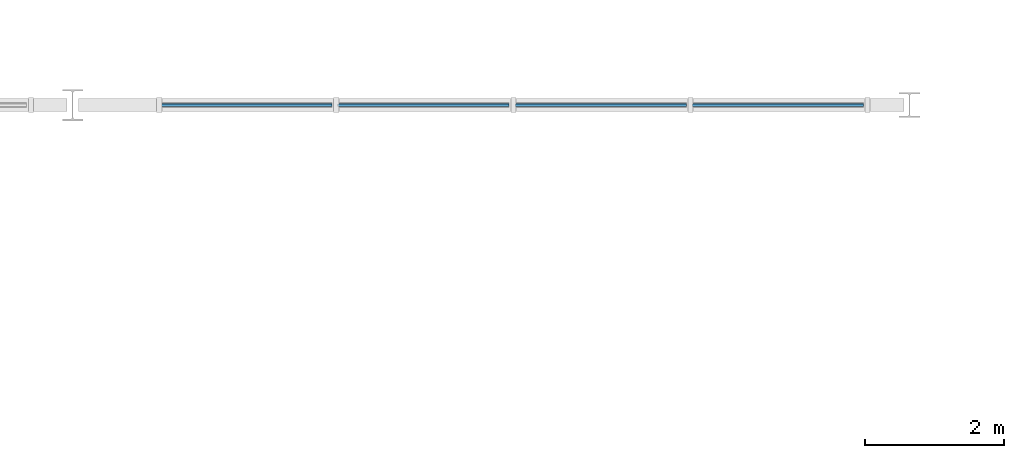
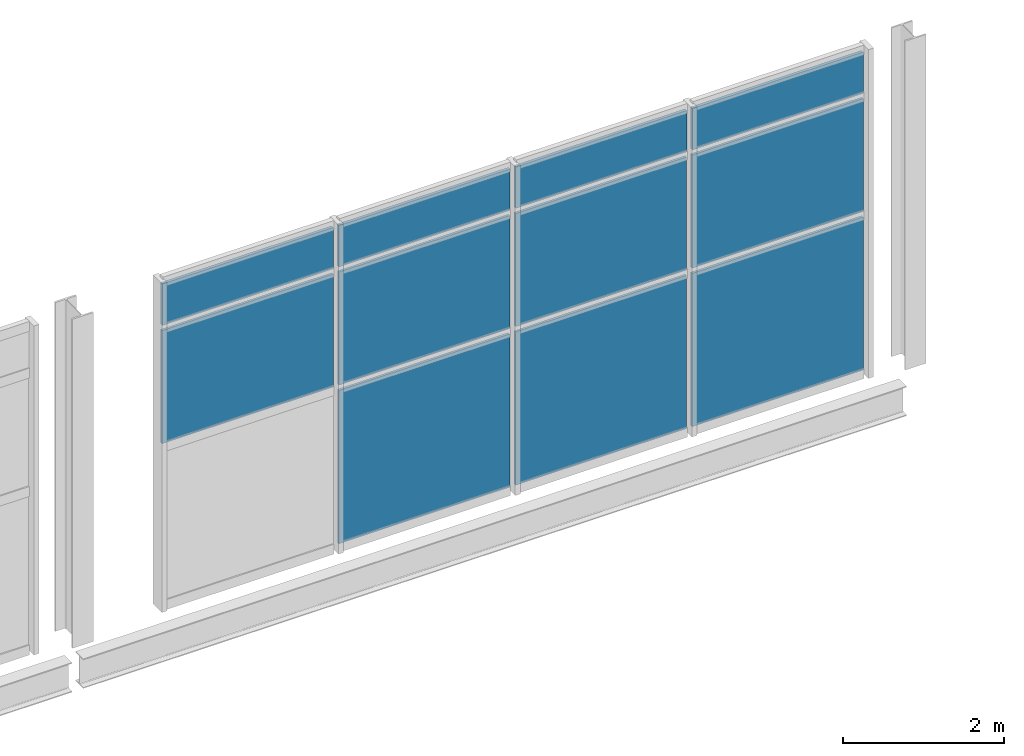
# One storey, part 63 of 89: 11 plates, 1 element without a shape of its own.
"""IFC4 building model written with IfcOpenShell, lengths in metres."""

from ifc_helpers import new_model, si_unit, direction, frame, origin, origin_2d, place, context, subcontext, project, spatial, rectangle, extrude, material, layer, layer_set, type_object, element, aggregate, save


model = new_model("IFC4")

# Units and contexts
model_context = context("Model", 3, precision=1e-05, world=origin(), true_north=direction((0.0, 1.0)))
body_context = subcontext(model_context, "Body", "Model", "MODEL_VIEW")
ifc_project = project(units=[si_unit("LENGTHUNIT", "METRE"), si_unit("AREAUNIT", "SQUARE_METRE"), si_unit("VOLUMEUNIT", "CUBIC_METRE"), si_unit("PLANEANGLEUNIT", "RADIAN"), si_unit("MASSUNIT", "GRAM", prefix="KILO"), si_unit("THERMODYNAMICTEMPERATUREUNIT", "KELVIN"), si_unit("POWERUNIT", "WATT")], contexts=[model_context])

# Site, building, storey
site_placement = place(None, origin())
site = spatial("IfcSite", under=ifc_project, at=site_placement, CompositionType="ELEMENT")
building_placement = place(site_placement, origin())
building = spatial("IfcBuilding", under=site, at=building_placement, Name="Solmara Park Aquatics Centre", CompositionType="ELEMENT")
storey_placement = place(building_placement, frame((0.0, 0.0, 5.39990234375)))
storey = spatial("IfcBuildingStorey", under=building, at=storey_placement, Name="L01", CompositionType="ELEMENT", Elevation=5.39990234375)

# Curtain wall, plates
ifc_material_1 = material(Name="Anodised Aluminium Curtain Wall Framing", Category="aluminium")
curtain_wall_type = type_object("IfcCurtainWallType", Name="ARC-CW-SYS03", PredefinedType="USERDEFINED", material=ifc_material_1)
curtain_wall_placement = place(storey_placement, origin())
curtain_wall = element("IfcCurtainWall", 1, at=curtain_wall_placement, inside=storey, type_object=curtain_wall_type, Name="Curtain Wall CW-123", ObjectType="CURTAIN WALL", PredefinedType="USERDEFINED")
ifc_material_2 = material(Name="Double Low-E Solar-Control Glazing", Category="glass")
ifc_layer_1 = layer(ifc_material_2, 0.035888671875, Name="Double Low-E Solar-Control Glazing")
ifc_layer_set_1 = layer_set([ifc_layer_1], Name="Double Low-E Solar-Control Glazing")
plate_type_1 = type_object("IfcPlateType", Name="ARC-CWP-GLZ36-2460x1720", PredefinedType="CURTAIN_PANEL", material=ifc_layer_set_1)
plate_1_placement = place(storey_placement, frame((146.489990234375, 136.0, 2.490234375), z_axis=(0.0, 0.0, 1.0), x_axis=(1.0, 0.0, 0.0)))
plate_1 = element("IfcPlate", 2, at=plate_1_placement, type_object=plate_type_1, Name="CW-123 panel 2", PredefinedType="CURTAIN_PANEL", context=body_context, shape_type="SweptSolid", body=[
    extrude(rectangle(XDim=2.4599609375, YDim=0.035888671875, at=origin_2d()), origin(), (0.0, 0.0, 1.0), 1.719970703125),
])
plate_2_placement = place(storey_placement, frame((149.030029296875, 136.0, 2.490234375), z_axis=(0.0, 0.0, 1.0), x_axis=(1.0, 0.0, 0.0)))
plate_2 = element("IfcPlate", 3, at=plate_2_placement, type_object=plate_type_1, Name="CW-123 panel 5", PredefinedType="CURTAIN_PANEL", context=body_context, shape_type="SweptSolid", body=[
    extrude(rectangle(XDim=2.4599609375, YDim=0.035888671875, at=origin_2d()), origin(), (0.0, 0.0, 1.0), 1.719970703125),
])
plate_3_placement = place(storey_placement, frame((151.570068359375, 136.0, 2.490234375), z_axis=(0.0, 0.0, 1.0), x_axis=(1.0, 0.0, 0.0)))
plate_3 = element("IfcPlate", 4, at=plate_3_placement, type_object=plate_type_1, Name="CW-123 panel 8", PredefinedType="CURTAIN_PANEL", context=body_context, shape_type="SweptSolid", body=[
    extrude(rectangle(XDim=2.4599609375, YDim=0.035888671875, at=origin_2d()), origin(), (0.0, 0.0, 1.0), 1.719970703125),
])
plate_4_placement = place(storey_placement, frame((154.110107421875, 136.0, 2.490234375), z_axis=(0.0, 0.0, 1.0), x_axis=(1.0, 0.0, 0.0)))
plate_4 = element("IfcPlate", 5, at=plate_4_placement, type_object=plate_type_1, Name="CW-123 panel 11", PredefinedType="CURTAIN_PANEL", context=body_context, shape_type="SweptSolid", body=[
    extrude(rectangle(XDim=2.4599609375, YDim=0.035888671875, at=origin_2d()), origin(), (0.0, 0.0, 1.0), 1.719970703125),
])
ifc_layer_2 = layer(ifc_material_2, 0.035888671875, Name="Double Low-E Solar-Control Glazing")
ifc_layer_set_2 = layer_set([ifc_layer_2], Name="Double Low-E Solar-Control Glazing")
plate_type_2 = type_object("IfcPlateType", Name="ARC-CWP-GLZ36-2460x2320", PredefinedType="CURTAIN_PANEL", material=ifc_layer_set_2)
plate_5_placement = place(storey_placement, frame((149.030029296875, 136.0, 0.080078125), z_axis=(0.0, 0.0, 1.0), x_axis=(1.0, 0.0, 0.0)))
plate_5 = element("IfcPlate", 6, at=plate_5_placement, type_object=plate_type_2, Name="CW-123 panel 4", PredefinedType="CURTAIN_PANEL", context=body_context, shape_type="SweptSolid", body=[
    extrude(rectangle(XDim=2.4599609375, YDim=0.035888671875, at=origin_2d()), origin(), (0.0, 0.0, 1.0), 2.330078125),
])
plate_6_placement = place(storey_placement, frame((151.570068359375, 136.0, 0.080078125), z_axis=(0.0, 0.0, 1.0), x_axis=(1.0, 0.0, 0.0)))
plate_6 = element("IfcPlate", 7, at=plate_6_placement, type_object=plate_type_2, Name="CW-123 panel 7", PredefinedType="CURTAIN_PANEL", context=body_context, shape_type="SweptSolid", body=[
    extrude(rectangle(XDim=2.4599609375, YDim=0.035888671875, at=origin_2d()), origin(), (0.0, 0.0, 1.0), 2.330078125),
])
plate_7_placement = place(storey_placement, frame((154.110107421875, 136.0, 0.080078125), z_axis=(0.0, 0.0, 1.0), x_axis=(1.0, 0.0, 0.0)))
plate_7 = element("IfcPlate", 8, at=plate_7_placement, type_object=plate_type_2, Name="CW-123 panel 10", PredefinedType="CURTAIN_PANEL", context=body_context, shape_type="SweptSolid", body=[
    extrude(rectangle(XDim=2.4599609375, YDim=0.035888671875, at=origin_2d()), origin(), (0.0, 0.0, 1.0), 2.330078125),
])
ifc_material_3 = material(Name="Insulated Anodised Aluminium Spandrel Panel", Category="aluminium")
ifc_layer_3 = layer(ifc_material_3, 0.0439453125, Name="Insulated Anodised Aluminium Spandrel Panel")
ifc_layer_set_3 = layer_set([ifc_layer_3], Name="Insulated Anodised Aluminium Spandrel Panel")
plate_type_3 = type_object("IfcPlateType", Name="ARC-CWP-SPN44-2460x640", PredefinedType="CURTAIN_PANEL", material=ifc_layer_set_3)
plate_8_placement = place(storey_placement, frame((146.489990234375, 136.0, 4.2900390625), z_axis=(0.0, 0.0, 1.0), x_axis=(1.0, 0.0, 0.0)))
plate_8 = element("IfcPlate", 9, at=plate_8_placement, type_object=plate_type_3, Name="CW-123 panel 3", PredefinedType="CURTAIN_PANEL", context=body_context, shape_type="SweptSolid", body=[
    extrude(rectangle(XDim=2.4599609375, YDim=0.0439453125, at=origin_2d()), origin(), (0.0, 0.0, 1.0), 0.6298828125),
])
plate_9_placement = place(storey_placement, frame((149.030029296875, 136.0, 4.2900390625), z_axis=(0.0, 0.0, 1.0), x_axis=(1.0, 0.0, 0.0)))
plate_9 = element("IfcPlate", 10, at=plate_9_placement, type_object=plate_type_3, Name="CW-123 panel 6", PredefinedType="CURTAIN_PANEL", context=body_context, shape_type="SweptSolid", body=[
    extrude(rectangle(XDim=2.4599609375, YDim=0.0439453125, at=origin_2d()), origin(), (0.0, 0.0, 1.0), 0.6298828125),
])
plate_10_placement = place(storey_placement, frame((151.570068359375, 136.0, 4.2900390625), z_axis=(0.0, 0.0, 1.0), x_axis=(1.0, 0.0, 0.0)))
plate_10 = element("IfcPlate", 11, at=plate_10_placement, type_object=plate_type_3, Name="CW-123 panel 9", PredefinedType="CURTAIN_PANEL", context=body_context, shape_type="SweptSolid", body=[
    extrude(rectangle(XDim=2.4599609375, YDim=0.0439453125, at=origin_2d()), origin(), (0.0, 0.0, 1.0), 0.6298828125),
])
plate_11_placement = place(storey_placement, frame((154.110107421875, 136.0, 4.2900390625), z_axis=(0.0, 0.0, 1.0), x_axis=(1.0, 0.0, 0.0)))
plate_11 = element("IfcPlate", 12, at=plate_11_placement, type_object=plate_type_3, Name="CW-123 panel 12", PredefinedType="CURTAIN_PANEL", context=body_context, shape_type="SweptSolid", body=[
    extrude(rectangle(XDim=2.4599609375, YDim=0.0439453125, at=origin_2d()), origin(), (0.0, 0.0, 1.0), 0.6298828125),
])
aggregate(curtain_wall, [plate_1, plate_8, plate_5, plate_2, plate_9, plate_6, plate_3, plate_10, plate_7, plate_4, plate_11])

save(model, "model.ifc")
